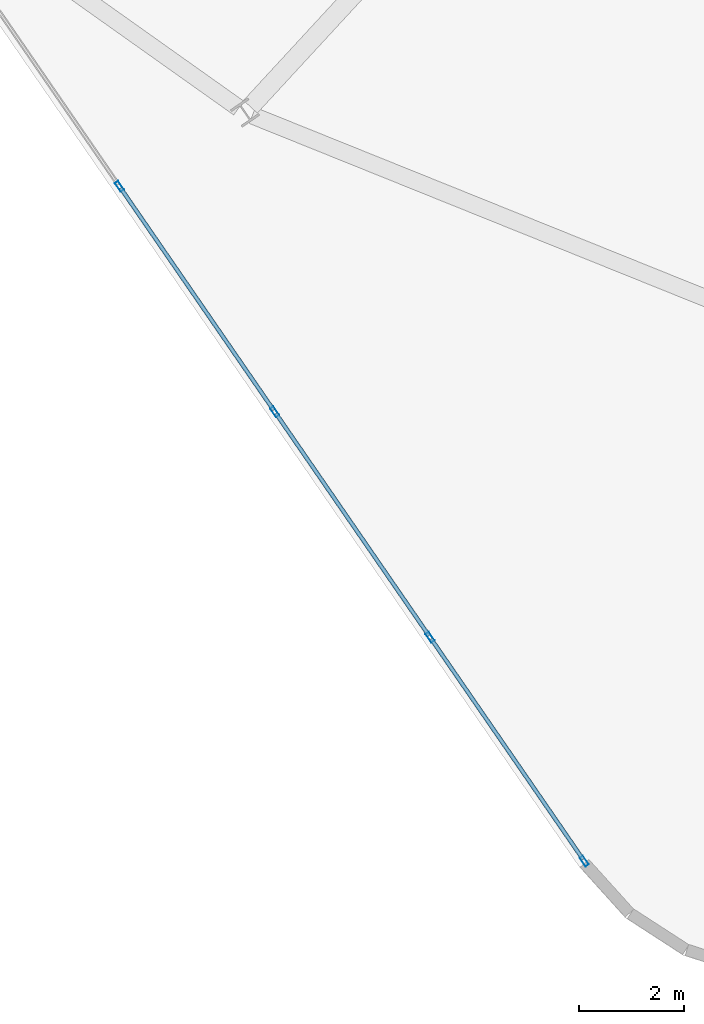
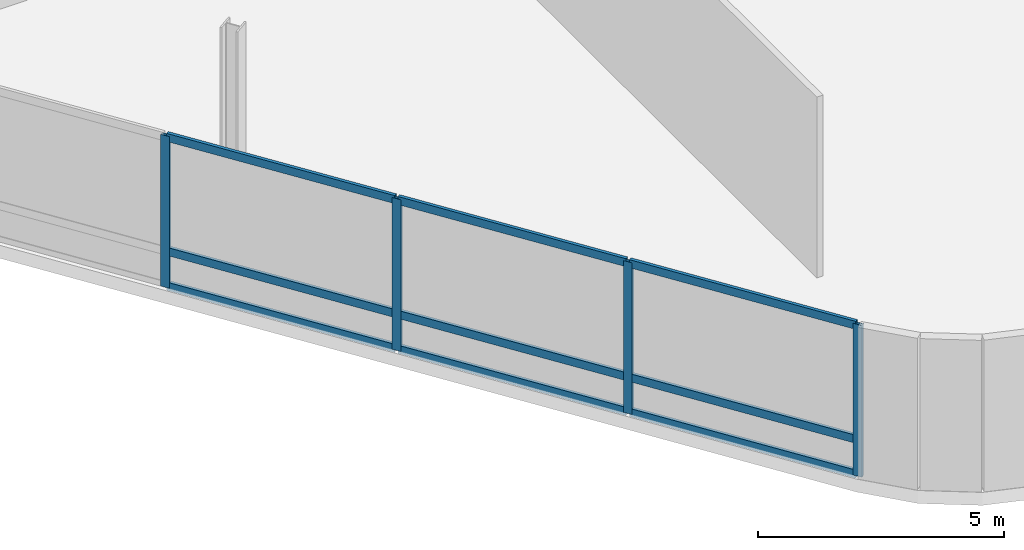
# One storey, part 3 of 15: 13 members, 1 element without a shape of its own.
"""IFC4 building model written with IfcOpenShell, lengths in metres."""

from ifc_helpers import new_model, si_unit, direction, frame, origin, origin_2d, place, context, subcontext, project, spatial, hollow_rectangle, extrude, material, layer, layer_set, material_profile, profile_set, type_object, element, aggregate, save


model = new_model("IFC4")

# Units and contexts
model_context = context("Model", 3, precision=1e-05, world=origin(), true_north=direction((0.0, 1.0)))
body_context = subcontext(model_context, "Body", "Model", "MODEL_VIEW")
ifc_project = project(units=[si_unit("LENGTHUNIT", "METRE"), si_unit("AREAUNIT", "SQUARE_METRE"), si_unit("VOLUMEUNIT", "CUBIC_METRE"), si_unit("PLANEANGLEUNIT", "RADIAN"), si_unit("MASSUNIT", "GRAM", prefix="KILO")], contexts=[model_context])

# Site, building, storey
site_placement = place(None, origin())
site = spatial("IfcSite", under=ifc_project, at=site_placement, CompositionType="ELEMENT")
building_placement = place(site_placement, origin())
building = spatial("IfcBuilding", under=site, at=building_placement, Name="Varnelok Gate Tower", CompositionType="ELEMENT")
storey_placement = place(building_placement, frame((0.0, 0.0, 291.5)))
storey = spatial("IfcBuildingStorey", under=building, at=storey_placement, Name="L75", CompositionType="ELEMENT", Elevation=291.5)

# Curtain wall, members
ifc_material = material(Name="Anodized Aluminum Alloy 6063-T6", Category="aluminium")
ifc_layer = layer(ifc_material, 0.179931640625)
ifc_layer_set = layer_set([ifc_layer], Name="Anodized Aluminum Alloy 6063-T6")
curtain_wall_type = type_object("IfcCurtainWallType", Name="CW6-CROWN-LOOKOUT", PredefinedType="USERDEFINED", material=ifc_layer_set)
curtain_wall_placement = place(storey_placement, origin())
curtain_wall = element("IfcCurtainWall", 1, at=curtain_wall_placement, inside=storey, type_object=curtain_wall_type, Name="L75 West End Vision Curtain Wall", ObjectType="STRUCTURAL GLAZING", PredefinedType="USERDEFINED")
ifc_material_profile_1 = material_profile(ifc_material, hollow_rectangle(XDim=0.074951171875, YDim=0.199951171875, WallThickness=0.00390625, at=origin_2d()), Name="ALU200X75X4")
ifc_profile_set_1 = profile_set([ifc_material_profile_1], Name="Anodized Aluminum Alloy 6063-T6")
member_type_1 = type_object("IfcMemberType", Name="CW-MULL-200", PredefinedType="MULLION", material=ifc_profile_set_1)
member_1_placement = place(storey_placement, frame((20.884521484375, -6.21337890625, 0.0), z_axis=(0.0, 0.0, 1.0), x_axis=(-0.823532290241, -0.567269395376, 0.0)))
member_1 = element("IfcMember", 2, at=member_1_placement, type_object=member_type_1, Name="CW6 mullion 1", PredefinedType="MULLION", context=body_context, shape_type="SweptSolid", body=[
    extrude(hollow_rectangle(XDim=0.074951171875, YDim=0.199951171875, WallThickness=0.00390625, at=origin_2d()), origin(), (0.0, 0.0, 1.0), 3.760009765625),
])
member_2_placement = place(storey_placement, frame((17.9560546875, -1.9619140625, 0.0), z_axis=(0.0, 0.0, 1.0), x_axis=(-0.823532290241, -0.567269395376, 0.0)))
member_2 = element("IfcMember", 3, at=member_2_placement, type_object=member_type_1, Name="CW6 mullion 2", PredefinedType="MULLION", context=body_context, shape_type="SweptSolid", body=[
    extrude(hollow_rectangle(XDim=0.074951171875, YDim=0.199951171875, WallThickness=0.00390625, at=origin_2d()), origin(), (0.0, 0.0, 1.0), 3.760009765625),
])
member_3_placement = place(storey_placement, frame((15.006103515625, 2.3203125, 0.0), z_axis=(0.0, 0.0, 1.0), x_axis=(-0.823532290241, -0.567269395376, 0.0)))
member_3 = element("IfcMember", 4, at=member_3_placement, type_object=member_type_1, Name="CW6 mullion 3", PredefinedType="MULLION", context=body_context, shape_type="SweptSolid", body=[
    extrude(hollow_rectangle(XDim=0.074951171875, YDim=0.199951171875, WallThickness=0.00390625, at=origin_2d()), origin(), (0.0, 0.0, 1.0), 3.760009765625),
])
member_4_placement = place(storey_placement, frame((12.056396484375, 6.602783203125, 0.0), z_axis=(0.0, 0.0, 1.0), x_axis=(-0.823532290241, -0.567269395376, 0.0)))
member_4 = element("IfcMember", 5, at=member_4_placement, type_object=member_type_1, Name="CW6 mullion 4", PredefinedType="MULLION", context=body_context, shape_type="SweptSolid", body=[
    extrude(hollow_rectangle(XDim=0.074951171875, YDim=0.199951171875, WallThickness=0.00390625, at=origin_2d()), origin(), (0.0, 0.0, 1.0), 3.760009765625),
])
ifc_material_profile_2 = material_profile(ifc_material, hollow_rectangle(XDim=0.074951171875, YDim=0.199951171875, WallThickness=0.00390625, at=origin_2d()), Name="ALU200X75X4")
ifc_profile_set_2 = profile_set([ifc_material_profile_2], Name="Anodized Aluminum Alloy 6063-T6")
member_type_2 = type_object("IfcMemberType", Name="CW-TRAN-200", PredefinedType="USERDEFINED", material=ifc_profile_set_2)
member_5_placement = place(storey_placement, frame((20.86328125, -6.1826171875, 0.03759765625), z_axis=(-0.567271968481, 0.823530517817, 0.0), x_axis=(-0.823530517817, -0.567271968481, 0.0)))
member_5 = element("IfcMember", 6, at=member_5_placement, type_object=member_type_2, Name="CW6 transom 1.1", ObjectType="TRANSOM", PredefinedType="USERDEFINED", context=body_context, shape_type="SweptSolid", body=[
    extrude(hollow_rectangle(XDim=0.074951171875, YDim=0.199951171875, WallThickness=0.00390625, at=origin_2d()), origin(), (0.0, 0.0, 1.0), 5.08740234375),
])
member_6_placement = place(storey_placement, frame((20.86328125, -6.1826171875, 0.89990234375), z_axis=(-0.567271968481, 0.823530517817, 0.0), x_axis=(-0.823530517817, -0.567271968481, 0.0)))
member_6 = element("IfcMember", 7, at=member_6_placement, type_object=member_type_2, Name="CW6 transom 1.2", ObjectType="TRANSOM", PredefinedType="USERDEFINED", context=body_context, shape_type="SweptSolid", body=[
    extrude(hollow_rectangle(XDim=0.074951171875, YDim=0.199951171875, WallThickness=0.00390625, at=origin_2d()), origin(), (0.0, 0.0, 1.0), 5.08740234375),
])
member_7_placement = place(storey_placement, frame((20.86328125, -6.1826171875, 3.722412109375), z_axis=(-0.567271968481, 0.823530517817, 0.0), x_axis=(-0.823530517817, -0.567271968481, 0.0)))
member_7 = element("IfcMember", 8, at=member_7_placement, type_object=member_type_2, Name="CW6 transom 1.3", ObjectType="TRANSOM", PredefinedType="USERDEFINED", context=body_context, shape_type="SweptSolid", body=[
    extrude(hollow_rectangle(XDim=0.074951171875, YDim=0.199951171875, WallThickness=0.00390625, at=origin_2d()), origin(), (0.0, 0.0, 1.0), 5.08740234375),
])
member_8_placement = place(storey_placement, frame((17.934814453125, -1.93115234375, 0.03759765625), z_axis=(-0.567256418128, 0.82354122914, 0.0), x_axis=(-0.82354122914, -0.567256418128, 0.0)))
member_8 = element("IfcMember", 9, at=member_8_placement, type_object=member_type_2, Name="CW6 transom 2.1", ObjectType="TRANSOM", PredefinedType="USERDEFINED", context=body_context, shape_type="SweptSolid", body=[
    extrude(hollow_rectangle(XDim=0.074951171875, YDim=0.199951171875, WallThickness=0.00390625, at=origin_2d()), origin(), (0.0, 0.0, 1.0), 5.125),
])
member_9_placement = place(storey_placement, frame((17.934814453125, -1.93115234375, 0.89990234375), z_axis=(-0.567256418128, 0.82354122914, 0.0), x_axis=(-0.82354122914, -0.567256418128, 0.0)))
member_9 = element("IfcMember", 10, at=member_9_placement, type_object=member_type_2, Name="CW6 transom 2.2", ObjectType="TRANSOM", PredefinedType="USERDEFINED", context=body_context, shape_type="SweptSolid", body=[
    extrude(hollow_rectangle(XDim=0.074951171875, YDim=0.199951171875, WallThickness=0.00390625, at=origin_2d()), origin(), (0.0, 0.0, 1.0), 5.125),
])
member_10_placement = place(storey_placement, frame((17.934814453125, -1.93115234375, 3.722412109375), z_axis=(-0.567256418128, 0.82354122914, 0.0), x_axis=(-0.82354122914, -0.567256418128, 0.0)))
member_10 = element("IfcMember", 11, at=member_10_placement, type_object=member_type_2, Name="CW6 transom 2.3", ObjectType="TRANSOM", PredefinedType="USERDEFINED", context=body_context, shape_type="SweptSolid", body=[
    extrude(hollow_rectangle(XDim=0.074951171875, YDim=0.199951171875, WallThickness=0.00390625, at=origin_2d()), origin(), (0.0, 0.0, 1.0), 5.125),
])
member_11_placement = place(storey_placement, frame((14.98486328125, 2.351318359375, 0.03759765625), z_axis=(-0.567256418128, 0.82354122914, 0.0), x_axis=(-0.82354122914, -0.567256418128, 0.0)))
member_11 = element("IfcMember", 12, at=member_11_placement, type_object=member_type_2, Name="CW6 transom 3.1", ObjectType="TRANSOM", PredefinedType="USERDEFINED", context=body_context, shape_type="SweptSolid", body=[
    extrude(hollow_rectangle(XDim=0.074951171875, YDim=0.199951171875, WallThickness=0.00390625, at=origin_2d()), origin(), (0.0, 0.0, 1.0), 5.125),
])
member_12_placement = place(storey_placement, frame((14.98486328125, 2.351318359375, 0.89990234375), z_axis=(-0.567256418128, 0.82354122914, 0.0), x_axis=(-0.82354122914, -0.567256418128, 0.0)))
member_12 = element("IfcMember", 13, at=member_12_placement, type_object=member_type_2, Name="CW6 transom 3.2", ObjectType="TRANSOM", PredefinedType="USERDEFINED", context=body_context, shape_type="SweptSolid", body=[
    extrude(hollow_rectangle(XDim=0.074951171875, YDim=0.199951171875, WallThickness=0.00390625, at=origin_2d()), origin(), (0.0, 0.0, 1.0), 5.125),
])
member_13_placement = place(storey_placement, frame((14.98486328125, 2.351318359375, 3.722412109375), z_axis=(-0.567256418128, 0.82354122914, 0.0), x_axis=(-0.82354122914, -0.567256418128, 0.0)))
member_13 = element("IfcMember", 14, at=member_13_placement, type_object=member_type_2, Name="CW6 transom 3.3", ObjectType="TRANSOM", PredefinedType="USERDEFINED", context=body_context, shape_type="SweptSolid", body=[
    extrude(hollow_rectangle(XDim=0.074951171875, YDim=0.199951171875, WallThickness=0.00390625, at=origin_2d()), origin(), (0.0, 0.0, 1.0), 5.125),
])
aggregate(curtain_wall, [member_1, member_2, member_3, member_4, member_5, member_6, member_7, member_8, member_9, member_10, member_11, member_12, member_13])

save(model, "model.ifc")
